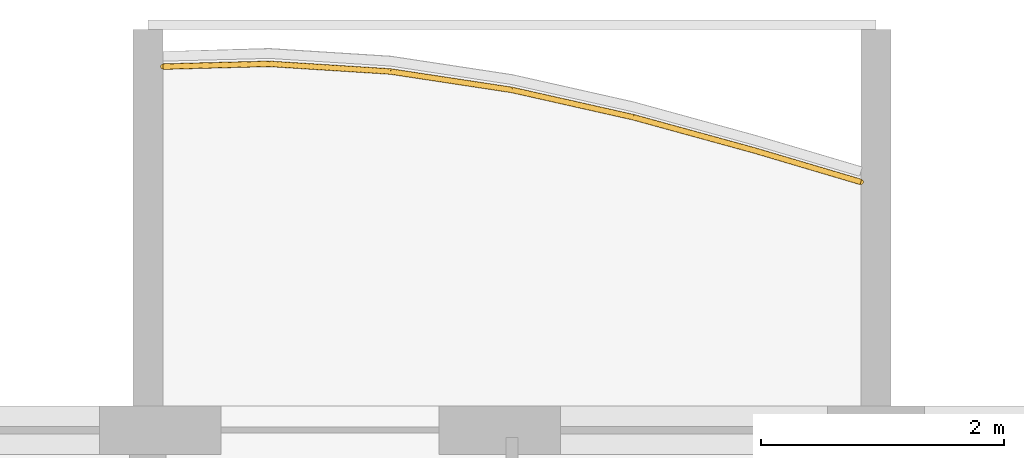
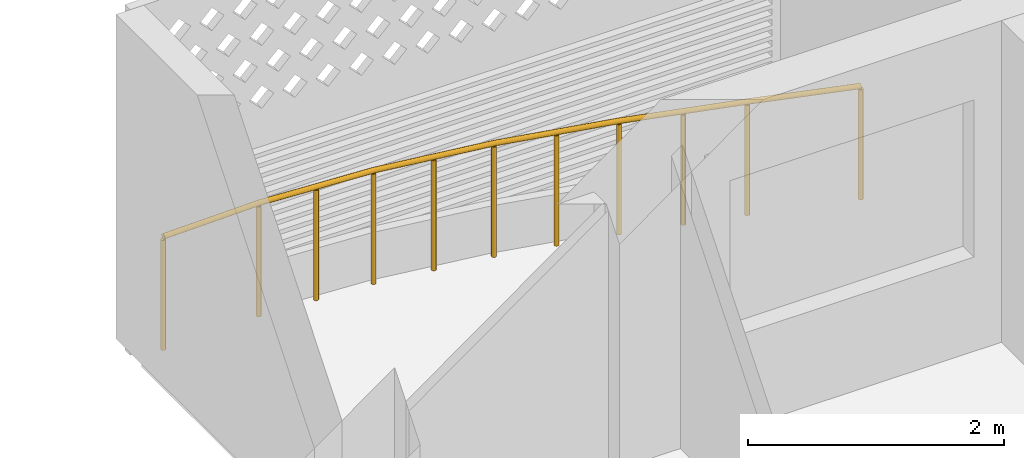
# One storey, part 20 of 31: 1 railing.
"""IFC4 building model written with IfcOpenShell, lengths in metres."""

from ifc_helpers import new_model, si_unit, direction, frame, origin, origin_2d, place, context, subcontext, project, spatial, circle, extrude, material, type_object, element, save


model = new_model("IFC4")

# Units and contexts
model_context = context("Model", 3, precision=1e-05, world=origin(), true_north=direction((0.0, 1.0)))
body_context = subcontext(model_context, "Body", "Model", "MODEL_VIEW")
ifc_project = project(units=[si_unit("LENGTHUNIT", "METRE"), si_unit("AREAUNIT", "SQUARE_METRE"), si_unit("VOLUMEUNIT", "CUBIC_METRE"), si_unit("PLANEANGLEUNIT", "RADIAN"), si_unit("MASSUNIT", "GRAM", prefix="KILO")], contexts=[model_context])

# Site, building, storey
site_placement = place(None, origin())
site = spatial("IfcSite", under=ifc_project, at=site_placement, CompositionType="ELEMENT")
building_placement = place(site_placement, origin())
building = spatial("IfcBuilding", under=site, at=building_placement, Name="Poui Terraces", CompositionType="ELEMENT")
storey_placement = place(building_placement, frame((0.0, 0.0, 145.5)))
storey = spatial("IfcBuildingStorey", under=building, at=storey_placement, Name="L40", CompositionType="ELEMENT", Elevation=145.5)

# Railing
ifc_material = material(Name="Painted steel fretwork", Category="steel")
railing_type = type_object("IfcRailingType", Name="BALCONY GUARD 1100", PredefinedType="GUARDRAIL", material=ifc_material)
railing_placement = place(storey_placement, frame((36.125, 45.39599609375, 0.0)))
element("IfcRailing", 1, at=railing_placement, inside=storey, type_object=railing_type, Name="BALCONY GUARD", PredefinedType="GUARDRAIL", context=body_context, shape_type="SweptSolid", body=[
    extrude(circle(Radius=0.02392578125, at=origin_2d()), frame((0.0, 0.0, 1.076171875), z_axis=(0.999663503425, 0.025939929079, 0.0), x_axis=(-0.025939929079, 0.999663503425, 0.0)), (0.0, 0.0, 1.0), 0.875244140625),
    extrude(circle(Radius=0.02392578125, at=origin_2d()), frame((0.875, 0.022705078125, 1.076171875), z_axis=(0.998006805525, -0.063106387361, 0.0), x_axis=(0.063106387361, 0.998006805525, 0.0)), (0.0, 0.0, 1.0), 1.001953125),
    extrude(circle(Radius=0.02392578125, at=origin_2d()), frame((1.875, -0.04052734375, 1.076171875), z_axis=(0.988665614785, -0.15013428037, 0.0), x_axis=(0.15013428037, 0.988665614785, 0.0)), (0.0, 0.0, 1.0), 1.011474609375),
    extrude(circle(Radius=0.02392578125, at=origin_2d()), frame((2.875, -0.1923828125, 1.076171875), z_axis=(0.975640353268, -0.219376163418, 0.0), x_axis=(0.219376163418, 0.975640353268, 0.0)), (0.0, 0.0, 1.0), 1.02490234375),
    extrude(circle(Radius=0.02392578125, at=origin_2d()), frame((3.875, -0.417236328125, 1.076171875), z_axis=(0.964349713042, -0.264631122426, 0.0), x_axis=(0.264631122426, 0.964349713042, 0.0)), (0.0, 0.0, 1.0), 1.036865234375),
    extrude(circle(Radius=0.02392578125, at=origin_2d()), frame((4.875, -0.691650390625, 1.076171875), z_axis=(0.958865561228, -0.283860591647, 0.0), x_axis=(0.283860591647, 0.958865561228, 0.0)), (0.0, 0.0, 1.0), 0.91259765625),
    extrude(circle(Radius=0.02099609375, at=origin_2d()), origin(), (0.0, 0.0, 1.0), 1.052001953125),
    extrude(circle(Radius=0.02099609375, at=origin_2d()), frame((0.875, 0.022705078125, 0.0)), (0.0, 0.0, 1.0), 1.052001953125),
    extrude(circle(Radius=0.02099609375, at=origin_2d()), frame((1.375, -0.0087890625, 0.0)), (0.0, 0.0, 1.0), 1.052001953125),
    extrude(circle(Radius=0.02099609375, at=origin_2d()), frame((1.875, -0.04052734375, 0.0)), (0.0, 0.0, 1.0), 1.052001953125),
    extrude(circle(Radius=0.02099609375, at=origin_2d()), frame((2.375, -0.116455078125, 0.0)), (0.0, 0.0, 1.0), 1.052001953125),
    extrude(circle(Radius=0.02099609375, at=origin_2d()), frame((2.875, -0.1923828125, 0.0)), (0.0, 0.0, 1.0), 1.052001953125),
    extrude(circle(Radius=0.02099609375, at=origin_2d()), frame((3.375, -0.3046875, 0.0)), (0.0, 0.0, 1.0), 1.052001953125),
    extrude(circle(Radius=0.02099609375, at=origin_2d()), frame((3.875, -0.417236328125, 0.0)), (0.0, 0.0, 1.0), 1.052001953125),
    extrude(circle(Radius=0.02099609375, at=origin_2d()), frame((4.375, -0.554443359375, 0.0)), (0.0, 0.0, 1.0), 1.052001953125),
    extrude(circle(Radius=0.02099609375, at=origin_2d()), frame((4.875, -0.691650390625, 0.0)), (0.0, 0.0, 1.0), 1.052001953125),
    extrude(circle(Radius=0.02099609375, at=origin_2d()), frame((5.75, -0.95068359375, 0.0)), (0.0, 0.0, 1.0), 1.052001953125),
])

save(model, "model.ifc")
